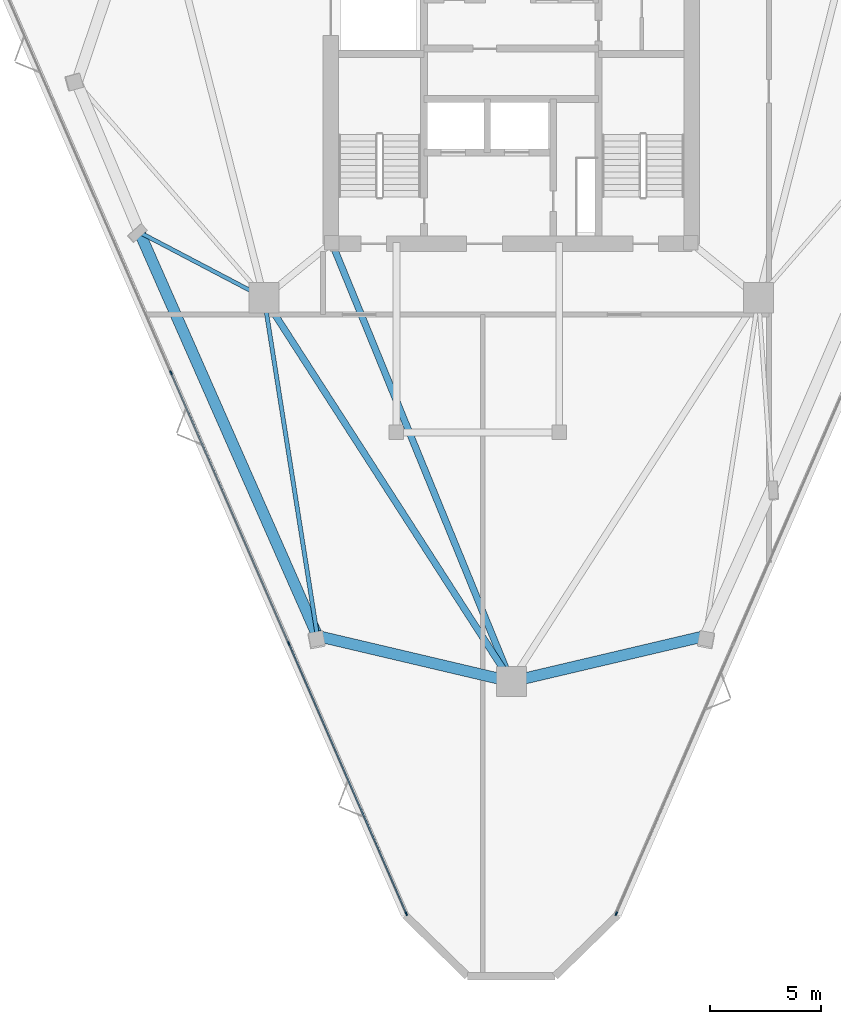
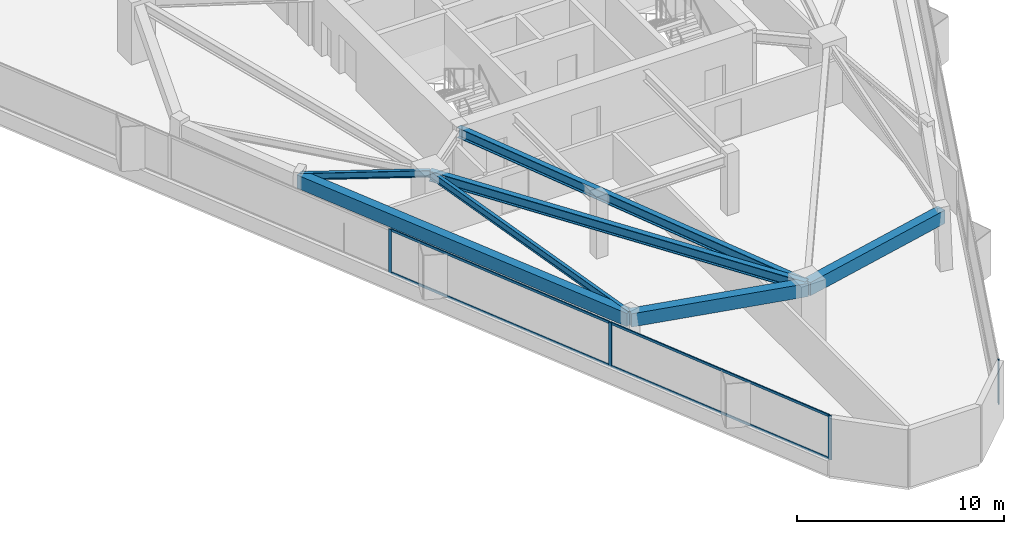
# One storey, part 2 of 12: 8 members, 7 beams, 2 elements without a shape of their own.
"""IFC4 building model written with IfcOpenShell, lengths in metres."""

import ifcopenshell
import ifcopenshell.guid

model = None  # the IFC model being written
_history = None  # IfcOwnerHistory: only IFC2X3 demands one
_inside = {}  # id of a spatial element -> (the spatial element, [elements in it])
_under = {}  # id of a project, library or spatial element -> (it, [spatial elements below it])
_declared = {}  # id of a project -> (the project, [libraries it declares])
_typed = {}  # id of a type object -> (the type object, [elements of that type])
_made_of = {}  # id of a material, layer set ... -> (it, [elements and type objects made of it])


def new_model(schema):
    """Start an empty IFC model of exactly this schema.

    Asked for "IFC4X3", IfcOpenShell would pick the latest addendum, in which some entities
    have other attributes; the version numbers below select the first issue.
    IFC2X3 requires an IfcOwnerHistory on every rooted entity: one is made here for all.
    """
    global model, _history
    if schema == "IFC4X3":
        model = ifcopenshell.file(schema_version=(4, 3, 0, 0))
    else:
        model = ifcopenshell.file(schema=schema)
    _inside.clear()
    _under.clear()
    _declared.clear()
    _typed.clear()
    _made_of.clear()
    _history = None
    if model.schema == "IFC2X3":
        org = make("IfcOrganization", Name="unknown")
        user = make(
            "IfcPersonAndOrganization",
            ThePerson=make("IfcPerson", FamilyName="unknown"),
            TheOrganization=org,
        )
        app = make(
            "IfcApplication",
            ApplicationDeveloper=org,
            Version="unknown",
            ApplicationFullName="unknown",
            ApplicationIdentifier="unknown",
        )
        _history = make(
            "IfcOwnerHistory",
            OwningUser=user,
            OwningApplication=app,
            ChangeAction="ADDED",
            CreationDate=0,
        )
    return model


def make(cls, **values):
    """One entity of the class cls with the attributes given. An attribute that is None is left unset."""
    return model.create_entity(
        cls, **{name: value for name, value in values.items() if value is not None}
    )


def rooted(cls, **values):
    """An entity with a GlobalId (a new one), such as an element, a storey or a relation."""
    return make(cls, GlobalId=ifcopenshell.guid.new(), OwnerHistory=_history, **values)


def si_unit(unit_type, name, prefix=None):
    """IfcSIUnit, for example si_unit("LENGTHUNIT", "METRE", prefix="MILLI")."""
    return make("IfcSIUnit", UnitType=unit_type, Prefix=prefix, Name=name)


def assignment(units):
    """IfcUnitAssignment: the units of a project."""
    return None if units is None else make("IfcUnitAssignment", Units=units)


def point(xyz):
    """IfcCartesianPoint."""
    return None if xyz is None else make("IfcCartesianPoint", Coordinates=xyz)


def direction(xyz):
    """IfcDirection."""
    return None if xyz is None else make("IfcDirection", DirectionRatios=xyz)


def frame(location, z_axis=None, x_axis=None):
    """IfcAxis2Placement3D, a coordinate frame: its origin and axes. An axis left out is left unset."""
    return make(
        "IfcAxis2Placement3D",
        Location=point(location),
        Axis=direction(z_axis),
        RefDirection=direction(x_axis),
    )


def frame_2d(location, x_axis=None):
    """IfcAxis2Placement2D, a coordinate frame in the plane: its origin and x axis."""
    return make(
        "IfcAxis2Placement2D", Location=point(location), RefDirection=direction(x_axis)
    )


def origin():
    """The frame at (0, 0, 0) with its axes left unset."""
    return frame((0.0, 0.0, 0.0))


def origin_2d():
    """The frame at (0, 0) in the plane with its x axis left unset."""
    return frame_2d((0.0, 0.0))


def place(relative_to, where):
    """IfcLocalPlacement: puts the frame where relative to a parent placement (None: the world)."""
    return make(
        "IfcLocalPlacement", PlacementRelTo=relative_to, RelativePlacement=where
    )


def context(
    kind, dimensions, precision=None, world=None, true_north=None, identifier=None
):
    """IfcGeometricRepresentationContext, for example the 3D "Model" context."""
    return make(
        "IfcGeometricRepresentationContext",
        ContextIdentifier=identifier,
        ContextType=kind,
        CoordinateSpaceDimension=dimensions,
        Precision=precision,
        WorldCoordinateSystem=world,
        TrueNorth=true_north,
    )


def subcontext(parent, identifier, kind, view, scale=None):
    """IfcGeometricRepresentationSubContext, for example "Body" below "Model"."""
    return make(
        "IfcGeometricRepresentationSubContext",
        ContextIdentifier=identifier,
        ContextType=kind,
        ParentContext=parent,
        TargetScale=scale,
        TargetView=view,
    )


def project(units=None, contexts=None):
    """IfcProject with its units and contexts."""
    return rooted(
        "IfcProject",
        Name="project",
        RepresentationContexts=contexts,
        UnitsInContext=assignment(units),
    )


def spatial(cls, under=None, at=None, **own):
    """A site, building, storey or space (cls), placed at a placement, below another one or the project."""
    s = rooted(cls, ObjectPlacement=at, **own)
    if under is not None:
        _under.setdefault(under.id(), (under, []))[1].append(s)
    return s


def profile(cls, at=None, kind="AREA", **sizes):
    """A parametric profile (cls). Its sizes go by their IFC names, for example OverallWidth=200.0."""
    return make(cls, ProfileType=kind, Position=at, **sizes)


def rectangle(**sizes):
    """IfcRectangleProfileDef."""
    return profile("IfcRectangleProfileDef", **sizes)


def i_section(**sizes):
    """IfcIShapeProfileDef."""
    return profile("IfcIShapeProfileDef", **sizes)


def extrude(swept, where, along, depth):
    """IfcExtrudedAreaSolid: the profile swept, set in the frame where, extruded along a direction by depth."""
    return make(
        "IfcExtrudedAreaSolid",
        SweptArea=swept,
        Position=where,
        ExtrudedDirection=direction(along),
        Depth=depth,
    )


def shape(context_of_items, identifier, shape_type, items):
    """IfcShapeRepresentation: the items that make up one representation, for example the "Body"."""
    return make(
        "IfcShapeRepresentation",
        ContextOfItems=context_of_items,
        RepresentationIdentifier=identifier,
        RepresentationType=shape_type,
        Items=items,
    )


def material(Name=None, Category=None):
    """IfcMaterial."""
    return make("IfcMaterial", Name=Name, Category=Category)


def layer(
    of_material, thickness, ventilated=None, Name=None, Category=None, Priority=None
):
    """IfcMaterialLayer: one layer of a wall or slab, of a material (None: an air gap)."""
    return make(
        "IfcMaterialLayer",
        Material=of_material,
        LayerThickness=thickness,
        IsVentilated=ventilated,
        Name=Name,
        Category=Category,
        Priority=Priority,
    )


def layer_set(layers, Name=None):
    """IfcMaterialLayerSet."""
    return make("IfcMaterialLayerSet", MaterialLayers=layers, LayerSetName=Name)


def material_profile(
    of_material, cross_section, Name=None, Category=None, Priority=None
):
    """IfcMaterialProfile: a cross section and its material."""
    return make(
        "IfcMaterialProfile",
        Name=Name,
        Material=of_material,
        Profile=cross_section,
        Priority=Priority,
        Category=Category,
    )


def profile_set(profiles, Name=None, composite=None):
    """IfcMaterialProfileSet."""
    return make(
        "IfcMaterialProfileSet",
        Name=Name,
        MaterialProfiles=profiles,
        CompositeProfile=composite,
    )


def made_of(thing, what):
    """Note that an element or type object is made of a material, layer set ...; save() writes the relation."""
    if what is not None:
        _made_of.setdefault(what.id(), (what, []))[1].append(thing)
    return thing


def type_object(cls, material=None, **own):
    """A type object (cls), such as IfcWallType, which elements share."""
    return made_of(rooted(cls, **own), material)


def element(
    cls,
    number,
    at=None,
    inside=None,
    cuts=None,
    type_object=None,
    material=None,
    context=None,
    identifier="Body",
    shape_type=None,
    held_by="IfcProductDefinitionShape",
    body=None,
    shapes=None,
    **own,
):
    """One element of the class cls, such as IfcWall. Its Tag is "e" and its number.

    at: its placement. inside: the storey or other place that contains it. cuts: it is an
    opening in that element (IfcRelVoidsElement). A single representation is given by context,
    identifier, shape_type and body (its items); several are given by shapes. held_by: the class
    of the entity that holds the representations. save() writes the other relations.
    """
    e = rooted(cls, Tag="e%d" % number, ObjectPlacement=at, **own)
    if body is not None:
        shapes = [shape(context, identifier, shape_type, body)]
    if shapes is not None:
        e.Representation = make(held_by, Representations=shapes)
    if inside is not None:
        _inside.setdefault(inside.id(), (inside, []))[1].append(e)
    if cuts is not None:
        rooted(
            "IfcRelVoidsElement", RelatingBuildingElement=cuts, RelatedOpeningElement=e
        )
    if type_object is not None:
        _typed.setdefault(type_object.id(), (type_object, []))[1].append(e)
    return made_of(e, material)


def aggregate(whole, parts):
    """IfcRelAggregates: a whole, such as a stair, and the parts it consists of."""
    return rooted("IfcRelAggregates", RelatingObject=whole, RelatedObjects=parts)


def save(model, path):
    """Write the relations noted so far, then the file.

    IfcRelAggregates (storeys below a building ...), IfcRelContainedInSpatialStructure (elements
    in a storey), IfcRelDefinesByType, IfcRelAssociatesMaterial and IfcRelDeclares: one each for
    every whole, place, type object, material and project.
    """
    for whole, parts in _under.values():
        aggregate(whole, parts)
    for where, things in _inside.values():
        rooted(
            "IfcRelContainedInSpatialStructure",
            RelatedElements=things,
            RelatingStructure=where,
        )
    for kind, things in _typed.values():
        rooted("IfcRelDefinesByType", RelatedObjects=things, RelatingType=kind)
    for what, things in _made_of.values():
        rooted("IfcRelAssociatesMaterial", RelatedObjects=things, RelatingMaterial=what)
    for by, libraries in _declared.values():
        rooted("IfcRelDeclares", RelatingContext=by, RelatedDefinitions=libraries)
    model.write(path)


model = new_model("IFC4")

# Units and contexts
model_context = context("Model", 3, precision=1e-05, world=origin(), true_north=direction((0.0, 1.0)))
body_context = subcontext(model_context, "Body", "Model", "MODEL_VIEW")
ifc_project = project(units=[si_unit("LENGTHUNIT", "METRE"), si_unit("AREAUNIT", "SQUARE_METRE"), si_unit("VOLUMEUNIT", "CUBIC_METRE"), si_unit("PLANEANGLEUNIT", "RADIAN"), si_unit("MASSUNIT", "GRAM", prefix="KILO")], contexts=[model_context])

# Site, building, storey
site_placement = place(None, origin())
site = spatial("IfcSite", under=ifc_project, at=site_placement, CompositionType="ELEMENT")
building_placement = place(site_placement, origin())
building = spatial("IfcBuilding", under=site, at=building_placement, Name="Talyreon Biosciences Tower", CompositionType="ELEMENT")
storey_placement = place(building_placement, frame((0.0, 0.0, 197.64990234375)))
storey = spatial("IfcBuildingStorey", under=building, at=storey_placement, Name="L52", CompositionType="ELEMENT", Elevation=197.64990234375)

# Curtain wall, members
ifc_material_1 = material(Name="Thermally broken aluminium and low-E glazing", Category="aluminium")
ifc_layer = layer(ifc_material_1, 0.179931640625)
ifc_layer_set = layer_set([ifc_layer], Name="Thermally broken aluminium and low-E glazing")
curtain_wall_type = type_object("IfcCurtainWallType", Name="CurtainWall_Zone4Optical", PredefinedType="NOTDEFINED", material=ifc_layer_set)
curtain_wall_1_placement = place(storey_placement, origin())
curtain_wall_1 = element("IfcCurtainWall", 1, at=curtain_wall_1_placement, inside=storey, type_object=curtain_wall_type, Name="L52 Unitised Curtain Wall FCW-L52-00", PredefinedType="NOTDEFINED")
ifc_material_2 = material(Name="Anodised thermally broken aluminium", Category="aluminium")
ifc_material_profile_1 = material_profile(ifc_material_2, rectangle(XDim=0.06494140625, YDim=0.179931640625, at=origin_2d()), Name="ALUM MULLION 65x180")
ifc_profile_set_1 = profile_set([ifc_material_profile_1], Name="Anodised thermally broken aluminium")
member_type_1 = type_object("IfcMemberType", Name="CWMullion_65x180", PredefinedType="MULLION", material=ifc_profile_set_1)
member_1_placement = place(storey_placement, frame((61.2919921875, 31.2587890625, 0.81005859375), z_axis=(0.0, 0.0, 1.0), x_axis=(-0.917010897502, -0.398862148946, 0.0)))
member_1 = element("IfcMember", 2, at=member_1_placement, type_object=member_type_1, Name="CW5 mullion 1", PredefinedType="MULLION", context=body_context, shape_type="SweptSolid", body=[
    extrude(rectangle(XDim=0.06494140625, YDim=0.179931640625, at=origin_2d()), origin(), (0.0, 0.0, 1.0), 2.590087890625),
])
member_2_placement = place(storey_placement, frame((56.022216796875, 43.374267578125, 0.81005859375), z_axis=(0.0, 0.0, 1.0), x_axis=(-0.917010897502, -0.398862148946, 0.0)))
member_2 = element("IfcMember", 3, at=member_2_placement, type_object=member_type_1, Name="CW5 mullion 2", PredefinedType="MULLION", context=body_context, shape_type="SweptSolid", body=[
    extrude(rectangle(XDim=0.06494140625, YDim=0.179931640625, at=origin_2d()), origin(), (0.0, 0.0, 1.0), 2.590087890625),
])
member_3_placement = place(storey_placement, frame((50.739501953125, 55.51953125, 0.81005859375), z_axis=(0.0, 0.0, 1.0), x_axis=(-0.917010897502, -0.398862148946, 0.0)))
member_3 = element("IfcMember", 4, at=member_3_placement, type_object=member_type_1, Name="CW5 mullion 3", PredefinedType="MULLION", context=body_context, shape_type="SweptSolid", body=[
    extrude(rectangle(XDim=0.06494140625, YDim=0.179931640625, at=origin_2d()), origin(), (0.0, 0.0, 1.0), 2.590087890625),
])

# Curtain wall, member
curtain_wall_2_placement = place(storey_placement, origin())
curtain_wall_2 = element("IfcCurtainWall", 5, at=curtain_wall_2_placement, inside=storey, type_object=curtain_wall_type, Name="L52 Unitised Curtain Wall FCW-L52-08", PredefinedType="NOTDEFINED")
member_4_placement = place(storey_placement, frame((70.7080078125, 31.2587890625, 0.81005859375), z_axis=(0.0, 0.0, 1.0), x_axis=(0.917010897502, -0.398862148946, 0.0)))
member_4 = element("IfcMember", 6, at=member_4_placement, type_object=member_type_1, Name="CW5 mullion 5", PredefinedType="MULLION", context=body_context, shape_type="SweptSolid", body=[
    extrude(rectangle(XDim=0.06494140625, YDim=0.179931640625, at=origin_2d()), origin(), (0.0, 0.0, 1.0), 2.590087890625),
])
aggregate(curtain_wall_2, [member_4])

# Member
ifc_material_profile_2 = material_profile(ifc_material_2, rectangle(XDim=0.06494140625, YDim=0.139892578125, at=origin_2d()), Name="ALUM TRANSOM 65x140")
ifc_profile_set_2 = profile_set([ifc_material_profile_2], Name="Anodised thermally broken aluminium")
member_type_2 = type_object("IfcMemberType", Name="CWTransom_65x140", PredefinedType="USERDEFINED", material=ifc_profile_set_2)
member_5_placement = place(storey_placement, frame((61.279052734375, 31.28857421875, 0.842529296875), z_axis=(-0.398866666561, 0.917008932512, 0.0), x_axis=(-0.917008932512, -0.398866666561, 0.0)))
member_5 = element("IfcMember", 7, at=member_5_placement, type_object=member_type_2, Name="CW5 transom 1.1", ObjectType="TRANSOM", PredefinedType="USERDEFINED", context=body_context, shape_type="SweptSolid", body=[
    extrude(rectangle(XDim=0.06494140625, YDim=0.139892578125, at=origin_2d()), origin(), (0.0, 0.0, 1.0), 13.14697265625),
])

member_6_placement = place(storey_placement, frame((61.279052734375, 31.28857421875, 3.36767578125), z_axis=(-0.398866666561, 0.917008932512, 0.0), x_axis=(-0.917008932512, -0.398866666561, 0.0)))
member_6 = element("IfcMember", 8, at=member_6_placement, type_object=member_type_2, Name="CW5 transom 1.2", ObjectType="TRANSOM", PredefinedType="USERDEFINED", context=body_context, shape_type="SweptSolid", body=[
    extrude(rectangle(XDim=0.06494140625, YDim=0.139892578125, at=origin_2d()), origin(), (0.0, 0.0, 1.0), 13.14697265625),
])

member_7_placement = place(storey_placement, frame((56.00927734375, 43.404052734375, 0.842529296875), z_axis=(-0.398865642927, 0.917009377756, 0.0), x_axis=(-0.917009377756, -0.398865642927, 0.0)))
member_7 = element("IfcMember", 9, at=member_7_placement, type_object=member_type_2, Name="CW5 transom 2.1", ObjectType="TRANSOM", PredefinedType="USERDEFINED", context=body_context, shape_type="SweptSolid", body=[
    extrude(rectangle(XDim=0.06494140625, YDim=0.139892578125, at=origin_2d()), origin(), (0.0, 0.0, 1.0), 13.179443359375),
])

member_8_placement = place(storey_placement, frame((56.00927734375, 43.404052734375, 3.36767578125), z_axis=(-0.398865642927, 0.917009377756, 0.0), x_axis=(-0.917009377756, -0.398865642927, 0.0)))
member_8 = element("IfcMember", 10, at=member_8_placement, type_object=member_type_2, Name="CW5 transom 2.2", ObjectType="TRANSOM", PredefinedType="USERDEFINED", context=body_context, shape_type="SweptSolid", body=[
    extrude(rectangle(XDim=0.06494140625, YDim=0.139892578125, at=origin_2d()), origin(), (0.0, 0.0, 1.0), 13.179443359375),
])

aggregate(curtain_wall_1, [member_1, member_2, member_3, member_5, member_6, member_7, member_8])

# Beams
ifc_material_3 = material(Name="Precast concrete C45/55", Category="concrete")
ifc_material_profile_3 = material_profile(ifc_material_3, rectangle(XDim=0.5, YDim=0.780029296875, at=origin_2d()), Name="RCB 500x780")
ifc_profile_set_3 = profile_set([ifc_material_profile_3], Name="Precast concrete C45/55")
beam_type_1 = type_object("IfcBeamType", Name="ExpressedSpandrel_500x780", PredefinedType="SPANDREL", material=ifc_profile_set_3)
beam_1_placement = place(storey_placement, frame((66.0, 41.6669921875, 3.010009765625), z_axis=(0.973417168334, 0.229039333726, 0.0), x_axis=(-0.229039333726, 0.973417168334, 0.0)))
element("IfcBeam", 11, at=beam_1_placement, inside=storey, type_object=beam_type_1, Name="L52 Expressed Horizontal Concrete Spandrel 01", PredefinedType="SPANDREL", context=body_context, shape_type="SweptSolid", body=[
    extrude(rectangle(XDim=0.5, YDim=0.780029296875, at=origin_2d()), origin(), (0.0, 0.0, 1.0), 8.9326171875),
])
beam_2_placement = place(storey_placement, frame((49.326904296875, 61.81298828125, 3.010009765625), z_axis=(0.40333084144, -0.915054223718, 0.0), x_axis=(0.915054223718, 0.40333084144, 0.0)))
element("IfcBeam", 12, at=beam_2_placement, inside=storey, type_object=beam_type_1, Name="L52 Expressed Horizontal Concrete Spandrel 11", PredefinedType="SPANDREL", context=body_context, shape_type="SweptSolid", body=[
    extrude(rectangle(XDim=0.5, YDim=0.780029296875, at=origin_2d()), origin(), (0.0, 0.0, 1.0), 19.7802734375),
])
beam_3_placement = place(storey_placement, frame((57.304931640625, 43.712890625, 3.010009765625), z_axis=(0.973417168334, -0.229039333726, 0.0), x_axis=(0.229039333726, 0.973417168334, 0.0)))
element("IfcBeam", 13, at=beam_3_placement, inside=storey, type_object=beam_type_1, Name="L52 Expressed Horizontal Concrete Spandrel 12", PredefinedType="SPANDREL", context=body_context, shape_type="SweptSolid", body=[
    extrude(rectangle(XDim=0.5, YDim=0.780029296875, at=origin_2d()), origin(), (0.0, 0.0, 1.0), 8.9326171875),
])
ifc_material_4 = material(Name="Steel SM355", Category="steel")
ifc_material_profile_4 = material_profile(ifc_material_4, i_section(OverallWidth=0.300048828125, OverallDepth=0.60009765625, WebThickness=0.015380859375, FlangeThickness=0.030029296875, FilletRadius=0.027099609375, at=origin_2d()), Name="HE600B")
ifc_profile_set_4 = profile_set([ifc_material_profile_4], Name="Steel SM355")
beam_type_2 = type_object("IfcBeamType", Name="SteelBeam_HE600B", PredefinedType="BEAM", material=ifc_profile_set_4)
beam_4_placement = place(storey_placement, frame((54.913818359375, 58.88037109375, 3.10009765625), z_axis=(0.541463723609, -0.840724114092, 0.0), x_axis=(0.840724114092, 0.541463723609, 0.0)))
element("IfcBeam", 14, at=beam_4_placement, inside=storey, type_object=beam_type_2, Name="L52 Mega-Ring Girder 6", PredefinedType="BEAM", context=body_context, shape_type="SweptSolid", body=[
    extrude(i_section(OverallWidth=0.300048828125, OverallDepth=0.60009765625, WebThickness=0.015380859375, FlangeThickness=0.030029296875, FilletRadius=0.027099609375, at=origin_2d()), origin(), (0.0, 0.0, 1.0), 20.474365234375),
])
beam_5_placement = place(storey_placement, frame((57.949951171875, 61.35009765625, 3.10009765625), z_axis=(0.378547014545, -0.925582064314, 0.0), x_axis=(0.925582064314, 0.378547014545, 0.0)))
element("IfcBeam", 15, at=beam_5_placement, inside=storey, type_object=beam_type_2, Name="L52 Radial Primary Girder 1", PredefinedType="BEAM", context=body_context, shape_type="SweptSolid", body=[
    extrude(i_section(OverallWidth=0.300048828125, OverallDepth=0.60009765625, WebThickness=0.015380859375, FlangeThickness=0.030029296875, FilletRadius=0.027099609375, at=origin_2d()), origin(), (0.0, 0.0, 1.0), 21.265625),
])
ifc_material_profile_5 = material_profile(ifc_material_4, i_section(OverallWidth=0.179931640625, OverallDepth=0.39990234375, WebThickness=0.008544921875, FlangeThickness=0.013427734375, FilletRadius=0.02099609375, at=origin_2d()), Name="IPE400")
ifc_profile_set_5 = profile_set([ifc_material_profile_5], Name="Steel SM355")
beam_type_3 = type_object("IfcBeamType", Name="SteelJoist_IPE400", PredefinedType="JOIST", material=ifc_profile_set_5)
beam_6_placement = place(storey_placement, frame((54.913818359375, 58.88037109375, 3.2001953125), z_axis=(-0.885431341491, 0.464770200751, 0.0), x_axis=(-0.464770200751, -0.885431341491, 0.0)))
element("IfcBeam", 16, at=beam_6_placement, inside=storey, type_object=beam_type_3, Name="L52 Radial Composite Floor Joist PL-SW", PredefinedType="JOIST", context=body_context, shape_type="SweptSolid", body=[
    extrude(i_section(OverallWidth=0.179931640625, OverallDepth=0.39990234375, WebThickness=0.008544921875, FlangeThickness=0.013427734375, FilletRadius=0.02099609375, at=origin_2d()), origin(), (0.0, 0.0, 1.0), 6.309814453125),
])
ifc_material_profile_6 = material_profile(ifc_material_4, i_section(OverallWidth=0.18994140625, OverallDepth=0.449951171875, WebThickness=0.009521484375, FlangeThickness=0.0146484375, FilletRadius=0.02099609375, at=origin_2d()), Name="IPE450")
ifc_profile_set_6 = profile_set([ifc_material_profile_6], Name="Steel SM355")
beam_type_4 = type_object("IfcBeamType", Name="SteelJoist_IPE450", PredefinedType="JOIST", material=ifc_profile_set_6)
beam_7_placement = place(storey_placement, frame((54.913818359375, 58.88037109375, 3.175048828125), z_axis=(0.155724155556, -0.987800580773, 0.0), x_axis=(0.987800580773, 0.155724155556, 0.0)))
element("IfcBeam", 17, at=beam_7_placement, inside=storey, type_object=beam_type_4, Name="L52 Radial Composite Floor Joist PC-SW2", PredefinedType="JOIST", context=body_context, shape_type="SweptSolid", body=[
    extrude(i_section(OverallWidth=0.18994140625, OverallDepth=0.449951171875, WebThickness=0.009521484375, FlangeThickness=0.0146484375, FilletRadius=0.02099609375, at=origin_2d()), origin(), (0.0, 0.0, 1.0), 15.354736328125),
])

save(model, "model.ifc")
